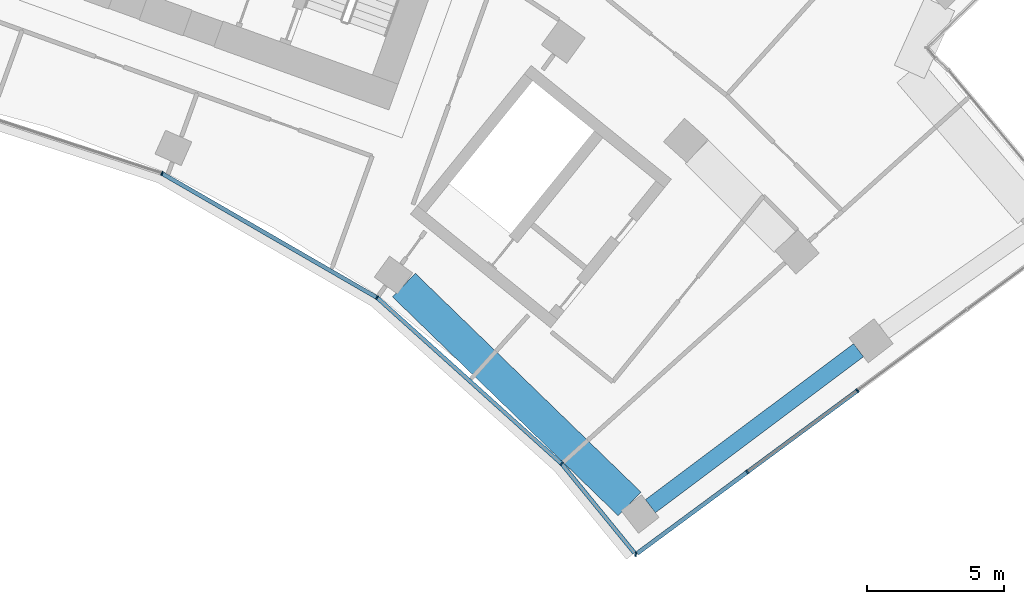
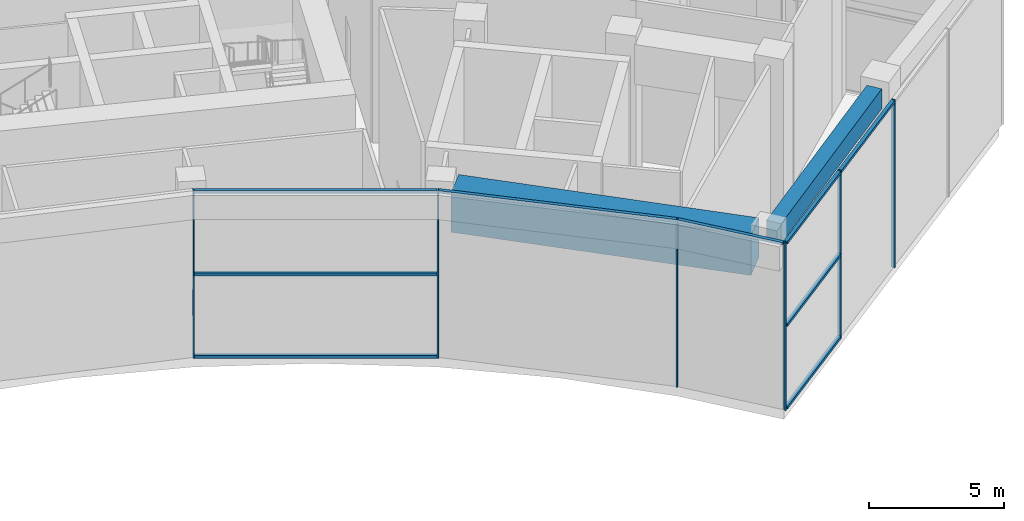
# One storey, part 9 of 26: 15 members, 2 beams, 2 elements without a shape of their own.
"""IFC4 building model written with IfcOpenShell, lengths in metres."""

from ifc_helpers import new_model, si_unit, direction, frame, origin, origin_2d, place, context, subcontext, project, spatial, rectangle, extrude, material, layer, layer_set, material_profile, profile_set, type_object, element, aggregate, save


model = new_model("IFC4")

# Units and contexts
model_context = context("Model", 3, precision=1e-05, world=origin(), true_north=direction((0.0, 1.0)))
body_context = subcontext(model_context, "Body", "Model", "MODEL_VIEW")
ifc_project = project(units=[si_unit("LENGTHUNIT", "METRE"), si_unit("AREAUNIT", "SQUARE_METRE"), si_unit("VOLUMEUNIT", "CUBIC_METRE"), si_unit("PLANEANGLEUNIT", "RADIAN"), si_unit("MASSUNIT", "GRAM", prefix="KILO")], contexts=[model_context])

# Site, building, storey
site_placement = place(None, origin())
site = spatial("IfcSite", under=ifc_project, at=site_placement, CompositionType="ELEMENT")
building_placement = place(site_placement, origin())
building = spatial("IfcBuilding", under=site, at=building_placement, Name="Stone Belt Terrace Tower", CompositionType="ELEMENT")
storey_placement = place(building_placement, frame((0.0, 0.0, 250.39990234375)))
storey = spatial("IfcBuildingStorey", under=building, at=storey_placement, Name="L61", CompositionType="ELEMENT", Elevation=250.39990234375)

# Curtain wall, members
ifc_material_1 = material(Name="Aluminium 6063-T6 anodised frame", Category="aluminium")
ifc_layer_1 = layer(ifc_material_1, 0.14990234375)
ifc_layer_set_1 = layer_set([ifc_layer_1], Name="CW-B unitised concave-face curtain wall")
curtain_wall_type_1 = type_object("IfcCurtainWallType", Name="CW-B unitised concave-face curtain wall", PredefinedType="NOTDEFINED", material=ifc_layer_set_1)
curtain_wall_1_placement = place(storey_placement, origin())
curtain_wall_1 = element("IfcCurtainWall", 1, at=curtain_wall_1_placement, inside=storey, type_object=curtain_wall_type_1, Name="CW-B concave face L61", PredefinedType="NOTDEFINED")
ifc_material_profile_1 = material_profile(ifc_material_1, rectangle(XDim=0.14990234375, YDim=0.050048828125, at=origin_2d()), Name="Aluminium 6063-T6 50x150")
ifc_profile_set_1 = profile_set([ifc_material_profile_1], Name="Aluminium 6063-T6 anodised frame")
member_type_1 = type_object("IfcMemberType", Name="CW-B mullion 50 x 150", PredefinedType="MULLION", material=ifc_profile_set_1)
member_1_placement = place(storey_placement, frame((17.662353515625, 39.67041015625, 0.0), z_axis=(0.0, 0.0, 1.0), x_axis=(0.406736643076, 0.913545457643, 0.0)))
member_1 = element("IfcMember", 2, at=member_1_placement, type_object=member_type_1, Name="CW-B mullion 7", PredefinedType="MULLION", context=body_context, shape_type="SweptSolid", body=[
    extrude(rectangle(XDim=0.14990234375, YDim=0.050048828125, at=origin_2d()), origin(), (0.0, 0.0, 1.0), 7.60009765625),
])
member_2_placement = place(storey_placement, frame((25.5244140625, 35.13134765625, 0.0), z_axis=(0.0, 0.0, 1.0), x_axis=(0.587785252292, 0.809016994375, 0.0)))
member_2 = element("IfcMember", 3, at=member_2_placement, type_object=member_type_1, Name="CW-B mullion 8", PredefinedType="MULLION", context=body_context, shape_type="SweptSolid", body=[
    extrude(rectangle(XDim=0.14990234375, YDim=0.050048828125, at=origin_2d()), origin(), (0.0, 0.0, 1.0), 7.60009765625),
])
member_3_placement = place(storey_placement, frame((32.2724609375, 29.05517578125, 0.0), z_axis=(0.0, 0.0, 1.0), x_axis=(0.724007879695, 0.689791700544, 0.0)))
member_3 = element("IfcMember", 4, at=member_3_placement, type_object=member_type_1, Name="CW-B mullion 9", PredefinedType="MULLION", context=body_context, shape_type="SweptSolid", body=[
    extrude(rectangle(XDim=0.14990234375, YDim=0.050048828125, at=origin_2d()), origin(), (0.0, 0.0, 1.0), 7.60009765625),
])
ifc_material_profile_2 = material_profile(ifc_material_1, rectangle(XDim=0.14990234375, YDim=0.1201171875, at=origin_2d()), Name="Aluminium 6063-T6 150x120")
ifc_profile_set_2 = profile_set([ifc_material_profile_2], Name="Aluminium 6063-T6 anodised frame")
member_type_2 = type_object("IfcMemberType", Name="CW-B transom 120 x 150", PredefinedType="USERDEFINED", material=ifc_profile_set_2)
member_4_placement = place(storey_placement, frame((17.690673828125, 39.654052734375, 0.06005859375), z_axis=(0.866019133895, -0.500010859609, 0.0), x_axis=(0.500010859609, 0.866019133895, 0.0)))
member_4 = element("IfcMember", 5, at=member_4_placement, type_object=member_type_2, Name="CW-B transom 7.1", ObjectType="TRANSOM", PredefinedType="USERDEFINED", context=body_context, shape_type="SweptSolid", body=[
    extrude(rectangle(XDim=0.14990234375, YDim=0.1201171875, at=origin_2d()), origin(), (0.0, 0.0, 1.0), 9.012939453125),
])
member_5_placement = place(storey_placement, frame((17.690673828125, 39.654052734375, 3.800048828125), z_axis=(0.866019133895, -0.500010859609, 0.0), x_axis=(0.500010859609, 0.866019133895, 0.0)))
member_5 = element("IfcMember", 6, at=member_5_placement, type_object=member_type_2, Name="CW-B transom 7.2", ObjectType="TRANSOM", PredefinedType="USERDEFINED", context=body_context, shape_type="SweptSolid", body=[
    extrude(rectangle(XDim=0.14990234375, YDim=0.1201171875, at=origin_2d()), origin(), (0.0, 0.0, 1.0), 9.012939453125),
])
member_6_placement = place(storey_placement, frame((17.690673828125, 39.654052734375, 7.5400390625), z_axis=(0.866019133895, -0.500010859609, 0.0), x_axis=(0.500010859609, 0.866019133895, 0.0)))
member_6 = element("IfcMember", 7, at=member_6_placement, type_object=member_type_2, Name="CW-B transom 7.3", ObjectType="TRANSOM", PredefinedType="USERDEFINED", context=body_context, shape_type="SweptSolid", body=[
    extrude(rectangle(XDim=0.14990234375, YDim=0.1201171875, at=origin_2d()), origin(), (0.0, 0.0, 1.0), 9.012939453125),
])
member_7_placement = place(storey_placement, frame((25.548583984375, 35.109375, 7.5400390625), z_axis=(0.743150073676, -0.669124777598, 0.0), x_axis=(0.669124777598, 0.743150073676, 0.0)))
member_7 = element("IfcMember", 8, at=member_7_placement, type_object=member_type_2, Name="CW-B transom 8.1", ObjectType="TRANSOM", PredefinedType="USERDEFINED", context=body_context, shape_type="SweptSolid", body=[
    extrude(rectangle(XDim=0.14990234375, YDim=0.1201171875, at=origin_2d()), origin(), (0.0, 0.0, 1.0), 9.016845703125),
])
member_8_placement = place(storey_placement, frame((32.291748046875, 29.031494140625, 7.5400390625), z_axis=(0.632390101137, -0.774650088739, 0.0), x_axis=(0.774650088739, 0.632390101137, 0.0)))
member_8 = element("IfcMember", 9, at=member_8_placement, type_object=member_type_2, Name="CW-B transom 9.1", ObjectType="TRANSOM", PredefinedType="USERDEFINED", context=body_context, shape_type="SweptSolid", body=[
    extrude(rectangle(XDim=0.14990234375, YDim=0.1201171875, at=origin_2d()), origin(), (0.0, 0.0, 1.0), 4.173583984375),
])
aggregate(curtain_wall_1, [member_1, member_2, member_3, member_4, member_5, member_6, member_7, member_8])

ifc_layer_2 = layer(ifc_material_1, 0.14990234375)
ifc_layer_set_2 = layer_set([ifc_layer_2], Name="CW-C stick curtain wall, horn ends and notches")
curtain_wall_type_2 = type_object("IfcCurtainWallType", Name="CW-C stick curtain wall, horn ends and notches", PredefinedType="NOTDEFINED", material=ifc_layer_set_2)
curtain_wall_2_placement = place(storey_placement, origin())
curtain_wall_2 = element("IfcCurtainWall", 10, at=curtain_wall_2_placement, inside=storey, type_object=curtain_wall_type_2, Name="CW-C end face L61", PredefinedType="NOTDEFINED")
ifc_material_profile_3 = material_profile(ifc_material_1, rectangle(XDim=0.14990234375, YDim=0.06005859375, at=origin_2d()), Name="Aluminium 6063-T6 60x150")
ifc_profile_set_3 = profile_set([ifc_material_profile_3], Name="Aluminium 6063-T6 anodised frame")
member_type_3 = type_object("IfcMemberType", Name="CW-C mullion 60 x 150", PredefinedType="MULLION", material=ifc_profile_set_3)
member_9_placement = place(storey_placement, frame((34.975341796875, 25.744140625, 0.0), z_axis=(0.0, 0.0, 1.0), x_axis=(0.124625557677, 0.992203845172, 0.0)))
member_9 = element("IfcMember", 11, at=member_9_placement, type_object=member_type_3, Name="CW-C mullion 1", PredefinedType="MULLION", context=body_context, shape_type="SweptSolid", body=[
    extrude(rectangle(XDim=0.14990234375, YDim=0.06005859375, at=origin_2d()), origin(), (0.0, 0.0, 1.0), 7.60009765625),
])
member_10_placement = place(storey_placement, frame((39.054443359375, 28.757568359375, 0.0), z_axis=(0.0, 0.0, 1.0), x_axis=(-0.594184091865, 0.804329077539, 0.0)))
member_10 = element("IfcMember", 12, at=member_10_placement, type_object=member_type_3, Name="CW-C mullion 2", PredefinedType="MULLION", context=body_context, shape_type="SweptSolid", body=[
    extrude(rectangle(XDim=0.14990234375, YDim=0.06005859375, at=origin_2d()), origin(), (0.0, 0.0, 1.0), 7.60009765625),
])
member_11_placement = place(storey_placement, frame((43.076171875, 31.728515625, 0.0), z_axis=(0.0, 0.0, 1.0), x_axis=(-0.594184091865, 0.804329077539, 0.0)))
member_11 = element("IfcMember", 13, at=member_11_placement, type_object=member_type_3, Name="CW-C mullion 3", PredefinedType="MULLION", context=body_context, shape_type="SweptSolid", body=[
    extrude(rectangle(XDim=0.14990234375, YDim=0.06005859375, at=origin_2d()), origin(), (0.0, 0.0, 1.0), 7.60009765625),
])
ifc_material_profile_4 = material_profile(ifc_material_1, rectangle(XDim=0.14990234375, YDim=0.1201171875, at=origin_2d()), Name="Aluminium 6063-T6 150x120")
ifc_profile_set_4 = profile_set([ifc_material_profile_4], Name="Aluminium 6063-T6 anodised frame")
member_type_4 = type_object("IfcMemberType", Name="CW-C transom 120 x 150", PredefinedType="USERDEFINED", material=ifc_profile_set_4)
member_12_placement = place(storey_placement, frame((35.034423828125, 25.787841796875, 0.06005859375), z_axis=(0.804325227642, 0.594189303319, 0.0), x_axis=(-0.594189303319, 0.804325227642, 0.0)))
member_12 = element("IfcMember", 14, at=member_12_placement, type_object=member_type_4, Name="CW-C transom 1.1", ObjectType="TRANSOM", PredefinedType="USERDEFINED", context=body_context, shape_type="SweptSolid", body=[
    extrude(rectangle(XDim=0.14990234375, YDim=0.1201171875, at=origin_2d()), origin(), (0.0, 0.0, 1.0), 4.968017578125),
])
member_13_placement = place(storey_placement, frame((35.034423828125, 25.787841796875, 3.800048828125), z_axis=(0.804325227642, 0.594189303319, 0.0), x_axis=(-0.594189303319, 0.804325227642, 0.0)))
member_13 = element("IfcMember", 15, at=member_13_placement, type_object=member_type_4, Name="CW-C transom 1.2", ObjectType="TRANSOM", PredefinedType="USERDEFINED", context=body_context, shape_type="SweptSolid", body=[
    extrude(rectangle(XDim=0.14990234375, YDim=0.1201171875, at=origin_2d()), origin(), (0.0, 0.0, 1.0), 4.968017578125),
])
member_14_placement = place(storey_placement, frame((35.034423828125, 25.787841796875, 7.5400390625), z_axis=(0.804325227642, 0.594189303319, 0.0), x_axis=(-0.594189303319, 0.804325227642, 0.0)))
member_14 = element("IfcMember", 16, at=member_14_placement, type_object=member_type_4, Name="CW-C transom 1.3", ObjectType="TRANSOM", PredefinedType="USERDEFINED", context=body_context, shape_type="SweptSolid", body=[
    extrude(rectangle(XDim=0.14990234375, YDim=0.1201171875, at=origin_2d()), origin(), (0.0, 0.0, 1.0), 4.968017578125),
])
member_15_placement = place(storey_placement, frame((39.07861328125, 28.775390625, 7.5400390625), z_axis=(0.804326070416, 0.594188162495, 0.0), x_axis=(-0.594188162495, 0.804326070416, 0.0)))
member_15 = element("IfcMember", 17, at=member_15_placement, type_object=member_type_4, Name="CW-C transom 2.1", ObjectType="TRANSOM", PredefinedType="USERDEFINED", context=body_context, shape_type="SweptSolid", body=[
    extrude(rectangle(XDim=0.14990234375, YDim=0.1201171875, at=origin_2d()), origin(), (0.0, 0.0, 1.0), 4.93994140625),
])
aggregate(curtain_wall_2, [member_9, member_10, member_11, member_12, member_13, member_14, member_15])

# Beams
ifc_material_2 = material(Name="Concrete B60", Category="concrete")
ifc_material_profile_5 = material_profile(ifc_material_2, rectangle(XDim=0.60009765625, YDim=0.89990234375, at=origin_2d()), Name="RC 600x900")
ifc_profile_set_5 = profile_set([ifc_material_profile_5], Name="Concrete B60")
beam_type_1 = type_object("IfcBeamType", Name="Edge beam RC 600x900 B60", PredefinedType="SPANDREL", material=ifc_profile_set_5)
beam_1_placement = place(storey_placement, frame((35.51318359375, 27.5068359375, 6.800048828125), z_axis=(0.800073960697, 0.599901373073, 0.0), x_axis=(-0.599901373073, 0.800073960697, 0.0)))
element("IfcBeam", 18, at=beam_1_placement, inside=storey, type_object=beam_type_1, Name="Edge beam L61 B P to Q", PredefinedType="SPANDREL", context=body_context, shape_type="SweptSolid", body=[
    extrude(rectangle(XDim=0.60009765625, YDim=0.89990234375, at=origin_2d()), origin(), (0.0, 0.0, 1.0), 9.505859375),
])
ifc_material_3 = material(Name="Concrete B80", Category="concrete")
ifc_material_profile_6 = material_profile(ifc_material_3, rectangle(XDim=1.199951171875, YDim=1.800048828125, at=origin_2d()), Name="RC 1200x1800")
ifc_profile_set_6 = profile_set([ifc_material_profile_6], Name="Concrete B80")
beam_type_2 = type_object("IfcBeamType", Name="Transfer girder RC 1200x1800 B80", PredefinedType="BEAM", material=ifc_profile_set_6)
beam_2_placement = place(storey_placement, frame((26.5048828125, 35.587646484375, 6.35009765625), z_axis=(0.717935796844, -0.696109324467, 0.0), x_axis=(0.696109324467, 0.717935796844, 0.0)))
element("IfcBeam", 19, at=beam_2_placement, inside=storey, type_object=beam_type_2, Name="Transfer beam L61 PP28-PB", PredefinedType="BEAM", context=body_context, shape_type="SweptSolid", body=[
    extrude(rectangle(XDim=1.199951171875, YDim=1.800048828125, at=origin_2d()), origin(), (0.0, 0.0, 1.0), 11.487548828125),
])

save(model, "model.ifc")
